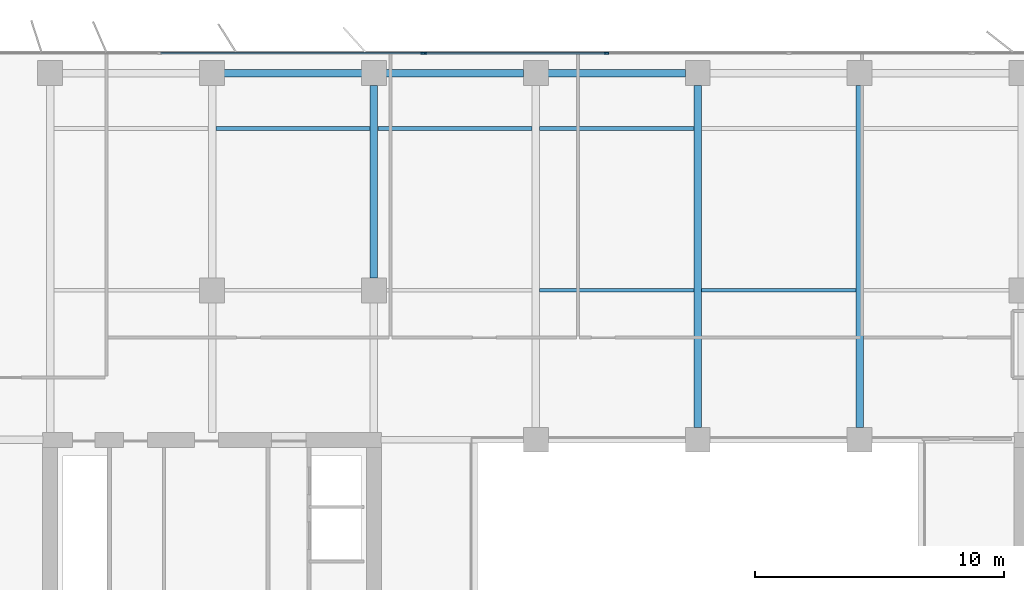
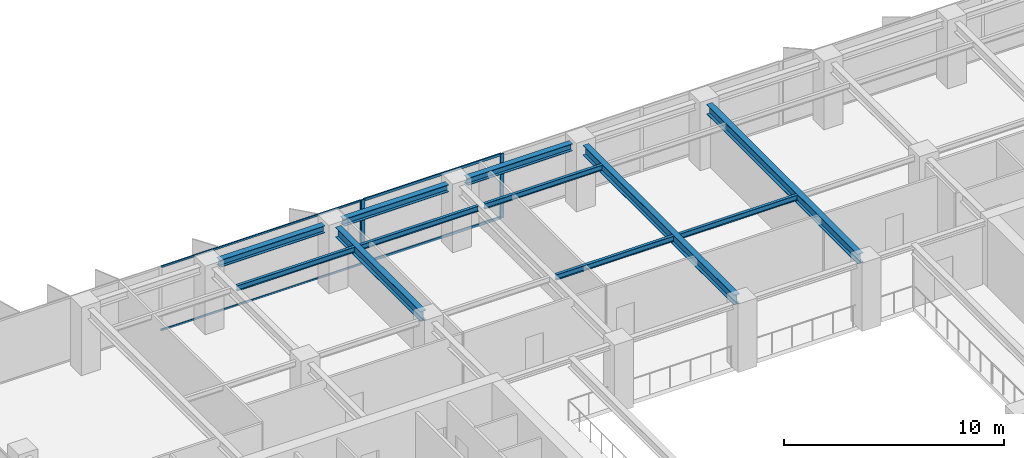
# One storey, part 9 of 22: 11 beams, 7 members, 2 elements without a shape of their own.
"""IFC4 building model written with IfcOpenShell, lengths in metres."""

from ifc_helpers import new_model, si_unit, direction, frame, origin, origin_2d, place, context, subcontext, project, spatial, rectangle, i_section, extrude, material, layer, layer_set, material_profile, profile_set, type_object, element, aggregate, save


model = new_model("IFC4")

# Units and contexts
model_context = context("Model", 3, precision=1e-05, world=origin(), true_north=direction((0.0, 1.0)))
body_context = subcontext(model_context, "Body", "Model", "MODEL_VIEW")
ifc_project = project(units=[si_unit("LENGTHUNIT", "METRE"), si_unit("AREAUNIT", "SQUARE_METRE"), si_unit("VOLUMEUNIT", "CUBIC_METRE"), si_unit("PLANEANGLEUNIT", "RADIAN"), si_unit("MASSUNIT", "GRAM", prefix="KILO")], contexts=[model_context])

# Site, building, storey
site_placement = place(None, origin())
site = spatial("IfcSite", under=ifc_project, at=site_placement, CompositionType="ELEMENT")
building_placement = place(site_placement, origin())
building = spatial("IfcBuilding", under=site, at=building_placement, Name="Putna Gate Headquarters", CompositionType="ELEMENT")
storey_placement = place(building_placement, frame((0.0, 0.0, 167.0)))
storey = spatial("IfcBuildingStorey", under=building, at=storey_placement, Name="L41", CompositionType="ELEMENT", Elevation=167.0)

# Beams
ifc_material_1 = material(Name="Steel S355J2", Category="steel")
ifc_material_profile_1 = material_profile(ifc_material_1, i_section(OverallWidth=0.300048828125, OverallDepth=0.550048828125, WebThickness=0.014892578125, FlangeThickness=0.029052734375, at=origin_2d()), Name="Steel S355J2")
ifc_profile_set_1 = profile_set([ifc_material_profile_1], Name="Steel S355J2")
beam_type_1 = type_object("IfcBeamType", Name="BM-GIRD-Z3-HEB550", PredefinedType="USERDEFINED", material=ifc_profile_set_1)
beam_placement = place(storey_placement, frame((26.0, 39.488037109375, 3.297119140625), z_axis=(0.0, 1.0, 0.0), x_axis=(-1.0, 0.0, 0.0)))
element("IfcBeam", 1, at=beam_placement, inside=storey, type_object=beam_type_1, Name="L41 North Primary Girder X26-2", ObjectType="GIRDER", PredefinedType="USERDEFINED", context=body_context, shape_type="SweptSolid", body=[
    extrude(i_section(OverallWidth=0.300048828125, OverallDepth=0.550048828125, WebThickness=0.014892578125, FlangeThickness=0.029052734375, at=origin_2d()), origin(), (0.0, 0.0, 1.0), 7.743896484375),
])
for number, where, z_axis, x_axis, name in (
    (2, (39.0, 33.488037109375, 3.297119140625), (0.0, 1.0, 0.0), (-1.0, 0.0, 0.0), "L41 North Primary Girder X39"),
    (3, (45.5, 33.488037109375, 3.297119140625), (0.0, 1.0, 0.0), (-1.0, 0.0, 0.0), "L41 North Primary Girder X45"),
):
    element("IfcBeam", number, at=place(storey_placement, frame(where, z_axis=z_axis, x_axis=x_axis)), inside=storey, type_object=beam_type_1, Name=name, ObjectType="GIRDER", PredefinedType="USERDEFINED", context=body_context, shape_type="SweptSolid", body=[
        extrude(i_section(OverallWidth=0.300048828125, OverallDepth=0.550048828125, WebThickness=0.014892578125, FlangeThickness=0.029052734375, at=origin_2d()), origin(), (0.0, 0.0, 1.0), 13.743896484375),
    ])
ifc_material_profile_2 = material_profile(ifc_material_1, i_section(OverallWidth=0.14990234375, OverallDepth=0.300048828125, WebThickness=0.007080078125, FlangeThickness=0.0107421875, at=origin_2d()), Name="Steel S355J2")
ifc_profile_set_2 = profile_set([ifc_material_profile_2], Name="Steel S355J2")
beam_type_2 = type_object("IfcBeamType", Name="BM-SEC-Z3-IPE300", PredefinedType="JOIST", material=ifc_profile_set_2)
for number, where, z_axis, x_axis, name in (
    (4, (19.654052734375, 45.5, 3.422119140625), (1.0, 0.0, 0.0), (0.0, 1.0, 0.0), "L41 North Secondary Beam 2"),
    (5, (26.154052734375, 45.5, 3.422119140625), (1.0, 0.0, 0.0), (0.0, 1.0, 0.0), "L41 North Secondary Beam 3"),
    (6, (32.654052734375, 39.0, 3.422119140625), (1.0, 0.0, 0.0), (0.0, 1.0, 0.0), "L41 North Secondary Beam 4"),
    (7, (32.654052734375, 45.5, 3.422119140625), (1.0, 0.0, 0.0), (0.0, 1.0, 0.0), "L41 North Secondary Beam 4"),
    (8, (39.154052734375, 39.0, 3.422119140625), (1.0, 0.0, 0.0), (0.0, 1.0, 0.0), "L41 North Secondary Beam 5"),
):
    element("IfcBeam", number, at=place(storey_placement, frame(where, z_axis=z_axis, x_axis=x_axis)), inside=storey, type_object=beam_type_2, Name=name, PredefinedType="JOIST", context=body_context, shape_type="SweptSolid", body=[
        extrude(i_section(OverallWidth=0.14990234375, OverallDepth=0.300048828125, WebThickness=0.007080078125, FlangeThickness=0.0107421875, at=origin_2d()), origin(), (0.0, 0.0, 1.0), 6.19189453125),
    ])
ifc_material_profile_3 = material_profile(ifc_material_1, i_section(OverallWidth=0.300048828125, OverallDepth=0.39990234375, WebThickness=0.013427734375, FlangeThickness=0.02392578125, at=origin_2d()), Name="Steel S355J2")
ifc_profile_set_3 = profile_set([ifc_material_profile_3], Name="Steel S355J2")
beam_type_3 = type_object("IfcBeamType", Name="BM-SPAN-Z3-HEB400", PredefinedType="SPANDREL", material=ifc_profile_set_3)
for number, where, z_axis, x_axis, name in (
    (9, (19.988037109375, 47.719970703125, 3.3720703125), (1.0, 0.0, 0.0), (0.0, 1.0, 0.0), "L41 N Perimeter Spandrel 2"),
    (10, (26.488037109375, 47.719970703125, 3.3720703125), (1.0, 0.0, 0.0), (0.0, 1.0, 0.0), "L41 N Perimeter Spandrel 3"),
    (11, (32.988037109375, 47.719970703125, 3.3720703125), (1.0, 0.0, 0.0), (0.0, 1.0, 0.0), "L41 N Perimeter Spandrel 4"),
):
    element("IfcBeam", number, at=place(storey_placement, frame(where, z_axis=z_axis, x_axis=x_axis)), inside=storey, type_object=beam_type_3, Name=name, PredefinedType="SPANDREL", context=body_context, shape_type="SweptSolid", body=[
        extrude(i_section(OverallWidth=0.300048828125, OverallDepth=0.39990234375, WebThickness=0.013427734375, FlangeThickness=0.02392578125, at=origin_2d()), origin(), (0.0, 0.0, 1.0), 5.52392578125),
    ])

# Curtain wall, member
ifc_material_2 = material(Name="Anodised bronze aluminium curtain wall", Category="aluminium")
ifc_layer_1 = layer(ifc_material_2, 0.159912109375)
ifc_layer_set_1 = layer_set([ifc_layer_1], Name="Anodised bronze aluminium curtain wall")
curtain_wall_type_1 = type_object("IfcCurtainWallType", Name="CW-SYS-Z3", PredefinedType="USERDEFINED", material=ifc_layer_set_1)
curtain_wall_1_placement = place(storey_placement, origin())
curtain_wall_1 = element("IfcCurtainWall", 12, at=curtain_wall_1_placement, inside=storey, type_object=curtain_wall_type_1, Name="L41 North West Curtain Wall", ObjectType="STICK CURTAIN WALL", PredefinedType="USERDEFINED")
ifc_material_3 = material(Name="Anodised bronze aluminium EN AW-6060", Category="aluminium")
ifc_material_profile_4 = material_profile(ifc_material_3, rectangle(XDim=0.06494140625, YDim=0.159912109375, at=origin_2d()), Name="Anodised bronze aluminium EN AW-6060")
ifc_profile_set_4 = profile_set([ifc_material_profile_4], Name="Anodised bronze aluminium EN AW-6060")
member_type_1 = type_object("IfcMemberType", Name="MULL-CWM-3", PredefinedType="MULLION", material=ifc_profile_set_4)
member_1_placement = place(storey_placement, frame((27.967529296875, 48.52001953125, 0.0), z_axis=(0.0, 0.0, 1.0), x_axis=(0.0, 1.0, 0.0)))
member_1 = element("IfcMember", 13, at=member_1_placement, type_object=member_type_1, Name="CWS-3 mullion 3", PredefinedType="MULLION", context=body_context, shape_type="SweptSolid", body=[
    extrude(rectangle(XDim=0.06494140625, YDim=0.159912109375, at=origin_2d()), origin(), (0.0, 0.0, 1.0), 3.572021484375),
])

# Curtain wall, members
ifc_layer_2 = layer(ifc_material_2, 0.179931640625)
ifc_layer_set_2 = layer_set([ifc_layer_2], Name="Anodised bronze aluminium curtain wall")
curtain_wall_type_2 = type_object("IfcCurtainWallType", Name="CW-SYS-ATR", PredefinedType="USERDEFINED", material=ifc_layer_set_2)
curtain_wall_2_placement = place(storey_placement, origin())
curtain_wall_2 = element("IfcCurtainWall", 14, at=curtain_wall_2_placement, inside=storey, type_object=curtain_wall_type_2, Name="L41 North Atrium Clear Glazing", ObjectType="ATRIUM GLAZING", PredefinedType="USERDEFINED")
ifc_material_profile_5 = material_profile(ifc_material_3, rectangle(XDim=0.070068359375, YDim=0.179931640625, at=origin_2d()), Name="Anodised bronze aluminium EN AW-6060")
ifc_profile_set_5 = profile_set([ifc_material_profile_5], Name="Anodised bronze aluminium EN AW-6060")
member_type_2 = type_object("IfcMemberType", Name="MULL-CWM-AT", PredefinedType="MULLION", material=ifc_profile_set_5)
member_2_placement = place(storey_placement, frame((28.034912109375, 48.52001953125, 0.0), z_axis=(0.0, 0.0, 1.0), x_axis=(0.0, 1.0, 0.0)))
member_2 = element("IfcMember", 15, at=member_2_placement, type_object=member_type_2, Name="CWS-AT mullion 1", PredefinedType="MULLION", context=body_context, shape_type="SweptSolid", body=[
    extrude(rectangle(XDim=0.070068359375, YDim=0.179931640625, at=origin_2d()), origin(), (0.0, 0.0, 1.0), 3.572021484375),
])
member_3_placement = place(storey_placement, frame((35.333251953125, 48.52001953125, 0.0), z_axis=(0.0, 0.0, 1.0), x_axis=(0.0, 1.0, 0.0)))
member_3 = element("IfcMember", 16, at=member_3_placement, type_object=member_type_2, Name="CWS-AT mullion 2", PredefinedType="MULLION", context=body_context, shape_type="SweptSolid", body=[
    extrude(rectangle(XDim=0.070068359375, YDim=0.179931640625, at=origin_2d()), origin(), (0.0, 0.0, 1.0), 3.572021484375),
])

# Member
ifc_material_profile_6 = material_profile(ifc_material_3, rectangle(XDim=0.06005859375, YDim=0.10009765625, at=origin_2d()), Name="Anodised bronze aluminium EN AW-6060")
ifc_profile_set_6 = profile_set([ifc_material_profile_6], Name="Anodised bronze aluminium EN AW-6060")
member_type_3 = type_object("IfcMemberType", Name="TRAN-CWT-3", PredefinedType="USERDEFINED", material=ifc_profile_set_6)
member_4_placement = place(storey_placement, frame((17.4326171875, 48.52001953125, 0.030029296875), z_axis=(1.0, 0.0, 0.0), x_axis=(0.0, 1.0, 0.0)))
member_4 = element("IfcMember", 17, at=member_4_placement, type_object=member_type_3, Name="CWS-3 transom 2.1", ObjectType="TRANSOM", PredefinedType="USERDEFINED", context=body_context, shape_type="SweptSolid", body=[
    extrude(rectangle(XDim=0.06005859375, YDim=0.10009765625, at=origin_2d()), origin(), (0.0, 0.0, 1.0), 10.50244140625),
])

member_5_placement = place(storey_placement, frame((17.4326171875, 48.52001953125, 3.5419921875), z_axis=(1.0, 0.0, 0.0), x_axis=(0.0, 1.0, 0.0)))
member_5 = element("IfcMember", 18, at=member_5_placement, type_object=member_type_3, Name="CWS-3 transom 2.2", ObjectType="TRANSOM", PredefinedType="USERDEFINED", context=body_context, shape_type="SweptSolid", body=[
    extrude(rectangle(XDim=0.06005859375, YDim=0.10009765625, at=origin_2d()), origin(), (0.0, 0.0, 1.0), 10.50244140625),
])

aggregate(curtain_wall_1, [member_1, member_4, member_5])

ifc_material_profile_7 = material_profile(ifc_material_3, rectangle(XDim=0.070068359375, YDim=0.139892578125, at=origin_2d()), Name="Anodised bronze aluminium EN AW-6060")
ifc_profile_set_7 = profile_set([ifc_material_profile_7], Name="Anodised bronze aluminium EN AW-6060")
member_type_4 = type_object("IfcMemberType", Name="TRAN-CWT-AT", PredefinedType="USERDEFINED", material=ifc_profile_set_7)
member_6_placement = place(storey_placement, frame((28.070068359375, 48.52001953125, 0.034912109375), z_axis=(1.0, 0.0, 0.0), x_axis=(0.0, 1.0, 0.0)))
member_6 = element("IfcMember", 19, at=member_6_placement, type_object=member_type_4, Name="CWS-AT transom 1.1", ObjectType="TRANSOM", PredefinedType="USERDEFINED", context=body_context, shape_type="SweptSolid", body=[
    extrude(rectangle(XDim=0.070068359375, YDim=0.139892578125, at=origin_2d()), origin(), (0.0, 0.0, 1.0), 7.228271484375),
])

member_7_placement = place(storey_placement, frame((28.070068359375, 48.52001953125, 3.537109375), z_axis=(1.0, 0.0, 0.0), x_axis=(0.0, 1.0, 0.0)))
member_7 = element("IfcMember", 20, at=member_7_placement, type_object=member_type_4, Name="CWS-AT transom 1.2", ObjectType="TRANSOM", PredefinedType="USERDEFINED", context=body_context, shape_type="SweptSolid", body=[
    extrude(rectangle(XDim=0.070068359375, YDim=0.139892578125, at=origin_2d()), origin(), (0.0, 0.0, 1.0), 7.228271484375),
])

aggregate(curtain_wall_2, [member_2, member_3, member_6, member_7])

save(model, "model.ifc")
